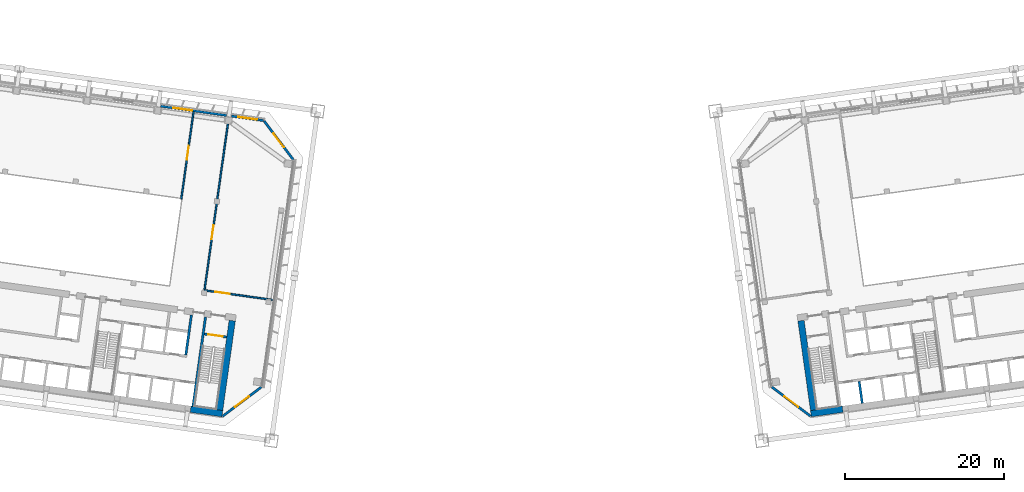
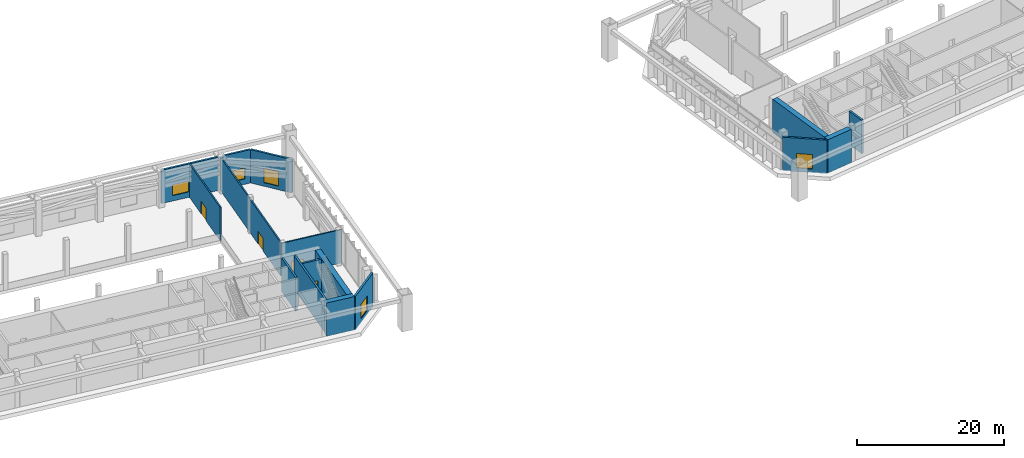
# One storey, part 22 of 41: 16 walls, 5 windows, 4 doors, 9 openings.
"""IFC4 building model written with IfcOpenShell, lengths in metres."""

import ifcopenshell
import ifcopenshell.guid

model = None  # the IFC model being written
_history = None  # IfcOwnerHistory: only IFC2X3 demands one
_inside = {}  # id of a spatial element -> (the spatial element, [elements in it])
_under = {}  # id of a project, library or spatial element -> (it, [spatial elements below it])
_declared = {}  # id of a project -> (the project, [libraries it declares])
_typed = {}  # id of a type object -> (the type object, [elements of that type])
_made_of = {}  # id of a material, layer set ... -> (it, [elements and type objects made of it])


def new_model(schema):
    """Start an empty IFC model of exactly this schema.

    Asked for "IFC4X3", IfcOpenShell would pick the latest addendum, in which some entities
    have other attributes; the version numbers below select the first issue.
    IFC2X3 requires an IfcOwnerHistory on every rooted entity: one is made here for all.
    """
    global model, _history
    if schema == "IFC4X3":
        model = ifcopenshell.file(schema_version=(4, 3, 0, 0))
    else:
        model = ifcopenshell.file(schema=schema)
    _inside.clear()
    _under.clear()
    _declared.clear()
    _typed.clear()
    _made_of.clear()
    _history = None
    if model.schema == "IFC2X3":
        org = make("IfcOrganization", Name="unknown")
        user = make(
            "IfcPersonAndOrganization",
            ThePerson=make("IfcPerson", FamilyName="unknown"),
            TheOrganization=org,
        )
        app = make(
            "IfcApplication",
            ApplicationDeveloper=org,
            Version="unknown",
            ApplicationFullName="unknown",
            ApplicationIdentifier="unknown",
        )
        _history = make(
            "IfcOwnerHistory",
            OwningUser=user,
            OwningApplication=app,
            ChangeAction="ADDED",
            CreationDate=0,
        )
    return model


def make(cls, **values):
    """One entity of the class cls with the attributes given. An attribute that is None is left unset."""
    return model.create_entity(
        cls, **{name: value for name, value in values.items() if value is not None}
    )


def rooted(cls, **values):
    """An entity with a GlobalId (a new one), such as an element, a storey or a relation."""
    return make(cls, GlobalId=ifcopenshell.guid.new(), OwnerHistory=_history, **values)


def si_unit(unit_type, name, prefix=None):
    """IfcSIUnit, for example si_unit("LENGTHUNIT", "METRE", prefix="MILLI")."""
    return make("IfcSIUnit", UnitType=unit_type, Prefix=prefix, Name=name)


def assignment(units):
    """IfcUnitAssignment: the units of a project."""
    return None if units is None else make("IfcUnitAssignment", Units=units)


def point(xyz):
    """IfcCartesianPoint."""
    return None if xyz is None else make("IfcCartesianPoint", Coordinates=xyz)


def direction(xyz):
    """IfcDirection."""
    return None if xyz is None else make("IfcDirection", DirectionRatios=xyz)


def frame(location, z_axis=None, x_axis=None):
    """IfcAxis2Placement3D, a coordinate frame: its origin and axes. An axis left out is left unset."""
    return make(
        "IfcAxis2Placement3D",
        Location=point(location),
        Axis=direction(z_axis),
        RefDirection=direction(x_axis),
    )


def frame_2d(location, x_axis=None):
    """IfcAxis2Placement2D, a coordinate frame in the plane: its origin and x axis."""
    return make(
        "IfcAxis2Placement2D", Location=point(location), RefDirection=direction(x_axis)
    )


def origin():
    """The frame at (0, 0, 0) with its axes left unset."""
    return frame((0.0, 0.0, 0.0))


def place(relative_to, where):
    """IfcLocalPlacement: puts the frame where relative to a parent placement (None: the world)."""
    return make(
        "IfcLocalPlacement", PlacementRelTo=relative_to, RelativePlacement=where
    )


def context(
    kind, dimensions, precision=None, world=None, true_north=None, identifier=None
):
    """IfcGeometricRepresentationContext, for example the 3D "Model" context."""
    return make(
        "IfcGeometricRepresentationContext",
        ContextIdentifier=identifier,
        ContextType=kind,
        CoordinateSpaceDimension=dimensions,
        Precision=precision,
        WorldCoordinateSystem=world,
        TrueNorth=true_north,
    )


def subcontext(parent, identifier, kind, view, scale=None):
    """IfcGeometricRepresentationSubContext, for example "Body" below "Model"."""
    return make(
        "IfcGeometricRepresentationSubContext",
        ContextIdentifier=identifier,
        ContextType=kind,
        ParentContext=parent,
        TargetScale=scale,
        TargetView=view,
    )


def project(units=None, contexts=None):
    """IfcProject with its units and contexts."""
    return rooted(
        "IfcProject",
        Name="project",
        RepresentationContexts=contexts,
        UnitsInContext=assignment(units),
    )


def spatial(cls, under=None, at=None, **own):
    """A site, building, storey or space (cls), placed at a placement, below another one or the project."""
    s = rooted(cls, ObjectPlacement=at, **own)
    if under is not None:
        _under.setdefault(under.id(), (under, []))[1].append(s)
    return s


def profile(cls, at=None, kind="AREA", **sizes):
    """A parametric profile (cls). Its sizes go by their IFC names, for example OverallWidth=200.0."""
    return make(cls, ProfileType=kind, Position=at, **sizes)


def rectangle(**sizes):
    """IfcRectangleProfileDef."""
    return profile("IfcRectangleProfileDef", **sizes)


def extrude(swept, where, along, depth):
    """IfcExtrudedAreaSolid: the profile swept, set in the frame where, extruded along a direction by depth."""
    return make(
        "IfcExtrudedAreaSolid",
        SweptArea=swept,
        Position=where,
        ExtrudedDirection=direction(along),
        Depth=depth,
    )


def shape(context_of_items, identifier, shape_type, items):
    """IfcShapeRepresentation: the items that make up one representation, for example the "Body"."""
    return make(
        "IfcShapeRepresentation",
        ContextOfItems=context_of_items,
        RepresentationIdentifier=identifier,
        RepresentationType=shape_type,
        Items=items,
    )


def material(Name=None, Category=None):
    """IfcMaterial."""
    return make("IfcMaterial", Name=Name, Category=Category)


def layer(
    of_material, thickness, ventilated=None, Name=None, Category=None, Priority=None
):
    """IfcMaterialLayer: one layer of a wall or slab, of a material (None: an air gap)."""
    return make(
        "IfcMaterialLayer",
        Material=of_material,
        LayerThickness=thickness,
        IsVentilated=ventilated,
        Name=Name,
        Category=Category,
        Priority=Priority,
    )


def layer_set(layers, Name=None):
    """IfcMaterialLayerSet."""
    return make("IfcMaterialLayerSet", MaterialLayers=layers, LayerSetName=Name)


def made_of(thing, what):
    """Note that an element or type object is made of a material, layer set ...; save() writes the relation."""
    if what is not None:
        _made_of.setdefault(what.id(), (what, []))[1].append(thing)
    return thing


def type_object(cls, material=None, **own):
    """A type object (cls), such as IfcWallType, which elements share."""
    return made_of(rooted(cls, **own), material)


def element(
    cls,
    number,
    at=None,
    inside=None,
    cuts=None,
    type_object=None,
    material=None,
    context=None,
    identifier="Body",
    shape_type=None,
    held_by="IfcProductDefinitionShape",
    body=None,
    shapes=None,
    **own,
):
    """One element of the class cls, such as IfcWall. Its Tag is "e" and its number.

    at: its placement. inside: the storey or other place that contains it. cuts: it is an
    opening in that element (IfcRelVoidsElement). A single representation is given by context,
    identifier, shape_type and body (its items); several are given by shapes. held_by: the class
    of the entity that holds the representations. save() writes the other relations.
    """
    e = rooted(cls, Tag="e%d" % number, ObjectPlacement=at, **own)
    if body is not None:
        shapes = [shape(context, identifier, shape_type, body)]
    if shapes is not None:
        e.Representation = make(held_by, Representations=shapes)
    if inside is not None:
        _inside.setdefault(inside.id(), (inside, []))[1].append(e)
    if cuts is not None:
        rooted(
            "IfcRelVoidsElement", RelatingBuildingElement=cuts, RelatedOpeningElement=e
        )
    if type_object is not None:
        _typed.setdefault(type_object.id(), (type_object, []))[1].append(e)
    return made_of(e, material)


def fill(opening, filler):
    """IfcRelFillsElement: the door or window that sits in an opening."""
    return rooted(
        "IfcRelFillsElement",
        RelatingOpeningElement=opening,
        RelatedBuildingElement=filler,
    )


def aggregate(whole, parts):
    """IfcRelAggregates: a whole, such as a stair, and the parts it consists of."""
    return rooted("IfcRelAggregates", RelatingObject=whole, RelatedObjects=parts)


def save(model, path):
    """Write the relations noted so far, then the file.

    IfcRelAggregates (storeys below a building ...), IfcRelContainedInSpatialStructure (elements
    in a storey), IfcRelDefinesByType, IfcRelAssociatesMaterial and IfcRelDeclares: one each for
    every whole, place, type object, material and project.
    """
    for whole, parts in _under.values():
        aggregate(whole, parts)
    for where, things in _inside.values():
        rooted(
            "IfcRelContainedInSpatialStructure",
            RelatedElements=things,
            RelatingStructure=where,
        )
    for kind, things in _typed.values():
        rooted("IfcRelDefinesByType", RelatedObjects=things, RelatingType=kind)
    for what, things in _made_of.values():
        rooted("IfcRelAssociatesMaterial", RelatedObjects=things, RelatingMaterial=what)
    for by, libraries in _declared.values():
        rooted("IfcRelDeclares", RelatingContext=by, RelatedDefinitions=libraries)
    model.write(path)


model = new_model("IFC4")

# Units and contexts
model_context = context("Model", 3, precision=1e-05, world=origin(), true_north=direction((0.0, 1.0)))
body_context = subcontext(model_context, "Body", "Model", "MODEL_VIEW")
ifc_project = project(units=[si_unit("LENGTHUNIT", "METRE"), si_unit("AREAUNIT", "SQUARE_METRE"), si_unit("VOLUMEUNIT", "CUBIC_METRE"), si_unit("PLANEANGLEUNIT", "RADIAN"), si_unit("MASSUNIT", "GRAM", prefix="KILO")], contexts=[model_context])

# Site, building, storey
site_placement = place(None, origin())
site = spatial("IfcSite", under=ifc_project, at=site_placement, CompositionType="ELEMENT")
building_placement = place(site_placement, origin())
building = spatial("IfcBuilding", under=site, at=building_placement, Name="Mirante Cascada Hotel Towers", CompositionType="ELEMENT")
storey_placement = place(building_placement, frame((0.0, 0.0, 92.7)))
storey = spatial("IfcBuildingStorey", under=building, at=storey_placement, Name="L20", CompositionType="ELEMENT", Elevation=92.7)

# Wall, opening, window
ifc_material_1 = material(Name="Precast concrete C40/50", Category="concrete")
ifc_layer_1 = layer(ifc_material_1, 0.3)
ifc_layer_set_1 = layer_set([ifc_layer_1], Name="Precast concrete C40/50 cladding wall 300")
wall_type_1 = type_object("IfcWallType", Name="Precast concrete C40/50 cladding wall 300", PredefinedType="STANDARD", material=ifc_layer_set_1)
wall_1_placement = place(storey_placement, frame((-31.9558, 17.3101, 0.0), z_axis=(0.0, 0.0, 1.0), x_axis=(-0.9902659, 0.1391883, 0.0)))
wall_1 = element("IfcWall", 1, at=wall_1_placement, inside=storey, type_object=wall_type_1, Name="Cladding pier wall T1 L20 front 1", PredefinedType="STANDARD", context=body_context, shape_type="SweptSolid", body=[
    extrude(rectangle(XDim=4.0758, YDim=0.3, at=frame_2d((2.0379, 0.0))), origin(), (0.0, 0.0, 1.0), 5.55),
])
opening_1_placement = place(wall_1_placement, frame((0.8068, 0.0, 0.9)))
opening_1 = element("IfcOpeningElement", 2, at=opening_1_placement, cuts=wall_1, Name="Opening W1-20-01", PredefinedType="OPENING", context=body_context, shape_type="SweptSolid", body=[
    extrude(rectangle(XDim=2.4, YDim=1.8, at=frame_2d((1.2, 0.9))), frame((0.0, 0.15, 0.0), z_axis=(0.0, -1.0, 0.0), x_axis=(1.0, 0.0, 0.0)), (0.0, 0.0, 1.0), 0.3),
])
ifc_material_2 = material(Name="Aluminium frame with clear double glazing", Category="aluminium")
window_type_1 = type_object("IfcWindowType", Name="Punched window 2400x1800", PartitioningType="DOUBLE_PANEL_VERTICAL", PredefinedType="WINDOW", material=ifc_material_2)
window_1_placement = place(opening_1_placement, origin())
window_1 = element("IfcWindow", 3, at=window_1_placement, inside=storey, type_object=window_type_1, Name="Window W1-20-01", OverallHeight=1.8, OverallWidth=2.4, PartitioningType="SINGLE_PANEL", PredefinedType="WINDOW", context=body_context, shape_type="SweptSolid", body=[
    extrude(rectangle(XDim=2.4, YDim=1.8, at=frame_2d((1.2, 0.9))), frame((0.0, 0.03, 0.0), z_axis=(0.0, -1.0, 0.0), x_axis=(1.0, 0.0, 0.0)), (0.0, 0.0, 1.0), 0.06),
])
fill(opening_1, window_1)

wall_2_placement = place(storey_placement, frame((-36.5861, 17.9609, 0.0), z_axis=(0.0, 0.0, 1.0), x_axis=(-0.9902688, 0.1391676, 0.0)))
wall_2 = element("IfcWall", 4, at=wall_2_placement, inside=storey, type_object=wall_type_1, Name="Cladding pier wall T1 L20 front 2", PredefinedType="STANDARD", context=body_context, shape_type="SweptSolid", body=[
    extrude(rectangle(XDim=8.3999, YDim=0.3, at=frame_2d((4.2, 0.0))), origin(), (0.0, 0.0, 1.0), 5.55),
])
opening_2_placement = place(wall_2_placement, frame((4.4, 0.0, 0.9)))
opening_2 = element("IfcOpeningElement", 5, at=opening_2_placement, cuts=wall_2, Name="Opening W1-20-02", PredefinedType="OPENING", context=body_context, shape_type="SweptSolid", body=[
    extrude(rectangle(XDim=2.4, YDim=1.8, at=frame_2d((1.2, 0.9))), frame((0.0, 0.15, 0.0), z_axis=(0.0, -1.0, 0.0), x_axis=(1.0, 0.0, 0.0)), (0.0, 0.0, 1.0), 0.3),
])
window_2_placement = place(opening_2_placement, origin())
window_2 = element("IfcWindow", 6, at=window_2_placement, inside=storey, type_object=window_type_1, Name="Window W1-20-02", OverallHeight=1.8, OverallWidth=2.4, PartitioningType="SINGLE_PANEL", PredefinedType="WINDOW", context=body_context, shape_type="SweptSolid", body=[
    extrude(rectangle(XDim=2.4, YDim=1.8, at=frame_2d((1.2, 0.9))), frame((0.0, 0.03, 0.0), z_axis=(0.0, -1.0, 0.0), x_axis=(1.0, 0.0, 0.0)), (0.0, 0.0, 1.0), 0.06),
])
fill(opening_2, window_2)

wall_3_placement = place(storey_placement, frame((-31.8569, 17.2519, 0.0), z_axis=(0.0, 0.0, 1.0), x_axis=(0.6018115, -0.7986381, 0.0)))
wall_3 = element("IfcWall", 7, at=wall_3_placement, inside=storey, type_object=wall_type_1, Name="Corner cladding wall T1 L20 front inner", PredefinedType="STANDARD", context=body_context, shape_type="SweptSolid", body=[
    extrude(rectangle(XDim=6.1155, YDim=0.3, at=frame_2d((3.0578, 0.0))), origin(), (0.0, 0.0, 1.0), 5.55),
])
opening_3_placement = place(wall_3_placement, frame((1.9577, 0.0, 0.6)))
opening_3 = element("IfcOpeningElement", 8, at=opening_3_placement, cuts=wall_3, Name="Opening W1-20-10", PredefinedType="OPENING", context=body_context, shape_type="SweptSolid", body=[
    extrude(rectangle(XDim=2.2, YDim=2.4, at=frame_2d((1.1, 1.2))), frame((0.0, 0.15, 0.0), z_axis=(0.0, -1.0, 0.0), x_axis=(1.0, 0.0, 0.0)), (0.0, 0.0, 1.0), 0.3),
])
ifc_material_3 = material(Name="Aluminium frame with clear double glazing", Category="aluminium")
window_type_2 = type_object("IfcWindowType", Name="Corner suite window 2200x2400", PartitioningType="DOUBLE_PANEL_VERTICAL", PredefinedType="WINDOW", material=ifc_material_3)
window_3_placement = place(opening_3_placement, origin())
window_3 = element("IfcWindow", 9, at=window_3_placement, inside=storey, type_object=window_type_2, Name="Window W1-20-10", OverallHeight=2.4, OverallWidth=2.2, PartitioningType="SINGLE_PANEL", PredefinedType="WINDOW", context=body_context, shape_type="SweptSolid", body=[
    extrude(rectangle(XDim=2.2, YDim=2.4, at=frame_2d((1.1, 1.2))), frame((0.0, 0.03, 0.0), z_axis=(0.0, -1.0, 0.0), x_axis=(1.0, 0.0, 0.0)), (0.0, 0.0, 1.0), 0.06),
])
fill(opening_3, window_3)

wall_4_placement = place(storey_placement, frame((-32.2074, -16.3138, 0.0), z_axis=(0.0, 0.0, 1.0), x_axis=(-0.7986362, -0.6018141, 0.0)))
wall_4 = element("IfcWall", 10, at=wall_4_placement, inside=storey, type_object=wall_type_1, Name="Corner cladding wall T1 L20 inner rear", PredefinedType="STANDARD", context=body_context, shape_type="SweptSolid", body=[
    extrude(rectangle(XDim=6.1157, YDim=0.3, at=frame_2d((3.0578, 0.0))), origin(), (0.0, 0.0, 1.0), 5.55),
])
opening_4_placement = place(wall_4_placement, frame((1.9578, 0.0, 0.6)))
opening_4 = element("IfcOpeningElement", 11, at=opening_4_placement, cuts=wall_4, Name="Opening W1-20-11", PredefinedType="OPENING", context=body_context, shape_type="SweptSolid", body=[
    extrude(rectangle(XDim=2.2, YDim=2.4, at=frame_2d((1.1, 1.2))), frame((0.0, 0.15, 0.0), z_axis=(0.0, -1.0, 0.0), x_axis=(1.0, 0.0, 0.0)), (0.0, 0.0, 1.0), 0.3),
])
window_4_placement = place(opening_4_placement, origin())
window_4 = element("IfcWindow", 12, at=window_4_placement, inside=storey, type_object=window_type_2, Name="Window W1-20-11", OverallHeight=2.4, OverallWidth=2.2, PartitioningType="SINGLE_PANEL", PredefinedType="WINDOW", context=body_context, shape_type="SweptSolid", body=[
    extrude(rectangle(XDim=2.2, YDim=2.4, at=frame_2d((1.1, 1.2))), frame((0.0, 0.03, 0.0), z_axis=(0.0, -1.0, 0.0), x_axis=(1.0, 0.0, 0.0)), (0.0, 0.0, 1.0), 0.06),
])
fill(opening_4, window_4)

wall_5_placement = place(storey_placement, frame((32.2074, -16.3138, 0.0), z_axis=(0.0, 0.0, 1.0), x_axis=(0.7986362, -0.6018141, 0.0)))
wall_5 = element("IfcWall", 13, at=wall_5_placement, inside=storey, type_object=wall_type_1, Name="Corner cladding wall T2 L20 inner rear", PredefinedType="STANDARD", context=body_context, shape_type="SweptSolid", body=[
    extrude(rectangle(XDim=6.1157, YDim=0.3, at=frame_2d((3.0578, 0.0))), origin(), (0.0, 0.0, 1.0), 5.55),
])
opening_5_placement = place(wall_5_placement, frame((1.9578, 0.0, 0.6)))
opening_5 = element("IfcOpeningElement", 14, at=opening_5_placement, cuts=wall_5, Name="Opening W2-20-11", PredefinedType="OPENING", context=body_context, shape_type="SweptSolid", body=[
    extrude(rectangle(XDim=2.2, YDim=2.4, at=frame_2d((1.1, 1.2))), frame((0.0, 0.15, 0.0), z_axis=(0.0, -1.0, 0.0), x_axis=(1.0, 0.0, 0.0)), (0.0, 0.0, 1.0), 0.3),
])
window_5_placement = place(opening_5_placement, origin())
window_5 = element("IfcWindow", 15, at=window_5_placement, inside=storey, type_object=window_type_2, Name="Window W2-20-11", OverallHeight=2.4, OverallWidth=2.2, PartitioningType="SINGLE_PANEL", PredefinedType="WINDOW", context=body_context, shape_type="SweptSolid", body=[
    extrude(rectangle(XDim=2.2, YDim=2.4, at=frame_2d((1.1, 1.2))), frame((0.0, 0.03, 0.0), z_axis=(0.0, -1.0, 0.0), x_axis=(1.0, 0.0, 0.0)), (0.0, 0.0, 1.0), 0.06),
])
fill(opening_5, window_5)

# Wall
ifc_material_4 = material(Name="Concrete C50/60", Category="concrete")
ifc_layer_2 = layer(ifc_material_4, 0.3)
ifc_layer_set_2 = layer_set([ifc_layer_2], Name="RC core wall 300 C50/60")
wall_type_2 = type_object("IfcWallType", Name="RC core wall 300 C50/60", PredefinedType="SHEAR", material=ifc_layer_set_2)
wall_6_placement = place(storey_placement, frame((-40.8373, -18.7548, 0.0), z_axis=(0.0, 0.0, 1.0), x_axis=(0.1391749, 0.9902678, 0.0)))
element("IfcWall", 16, at=wall_6_placement, inside=storey, type_object=wall_type_2, Name="Core wall T1:L20:5", PredefinedType="SHEAR", context=body_context, shape_type="SweptSolid", body=[
    extrude(rectangle(XDim=11.4, YDim=0.3, at=frame_2d((5.7, 0.0))), origin(), (0.0, 0.0, 1.0), 5.55),
])

# Wall, opening, door
wall_7_placement = place(storey_placement, frame((-36.5791, -10.0123, 0.0), z_axis=(0.0, 0.0, 1.0), x_axis=(-0.9902704, 0.1391564, 0.0)))
wall_7 = element("IfcWall", 17, at=wall_7_placement, inside=storey, type_object=wall_type_2, Name="Core wall T1:L20:9", PredefinedType="SHEAR", context=body_context, shape_type="SweptSolid", body=[
    extrude(rectangle(XDim=2.85, YDim=0.3, at=frame_2d((1.425, 0.0))), origin(), (0.0, 0.0, 1.0), 5.55),
])
opening_6_placement = place(wall_7_placement, frame((0.525, 0.0, 0.0)))
opening_6 = element("IfcOpeningElement", 18, at=opening_6_placement, cuts=wall_7, Name="Opening D1-20-C13", PredefinedType="OPENING", context=body_context, shape_type="SweptSolid", body=[
    extrude(rectangle(XDim=1.8, YDim=2.1, at=frame_2d((0.9, 1.05))), frame((0.0, 0.15, 0.0), z_axis=(0.0, -1.0, 0.0), x_axis=(1.0, 0.0, 0.0)), (0.0, 0.0, 1.0), 0.3),
])
ifc_material_5 = material(Name="Hollow metal fire door leaf")
door_type_1 = type_object("IfcDoorType", Name="Double fire door 1800x2100 FD60", OperationType="DOUBLE_DOOR_SINGLE_SWING", PredefinedType="DOOR", material=ifc_material_5)
door_1_placement = place(opening_6_placement, origin())
door_1 = element("IfcDoor", 19, at=door_1_placement, inside=storey, type_object=door_type_1, Name="Stair door T1 L20 13", OperationType="DOUBLE_DOOR_SINGLE_SWING", OverallHeight=2.1, OverallWidth=1.8, PredefinedType="DOOR", context=body_context, shape_type="SweptSolid", body=[
    extrude(rectangle(XDim=0.895, YDim=2.1, at=frame_2d((0.4475, 1.05))), frame((0.0, 0.025, 0.0), z_axis=(0.0, -1.0, 0.0), x_axis=(1.0, 0.0, 0.0)), (0.0, 0.0, 1.0), 0.05),
    extrude(rectangle(XDim=0.895, YDim=2.1, at=frame_2d((1.3525, 1.05))), frame((0.0, 0.025, 0.0), z_axis=(0.0, -1.0, 0.0), x_axis=(1.0, 0.0, 0.0)), (0.0, 0.0, 1.0), 0.05),
])
fill(opening_6, door_1)

# Walls
wall_8_placement = place(storey_placement, frame((-41.743, -12.2656, 0.0), z_axis=(0.0, 0.0, 1.0), x_axis=(0.1391755, 0.9902677, 0.0)))
element("IfcWall", 20, at=wall_8_placement, inside=storey, type_object=wall_type_2, Name="Core wall T1:L20:20", PredefinedType="SHEAR", context=body_context, shape_type="SweptSolid", body=[
    extrude(rectangle(XDim=5.1, YDim=0.3, at=frame_2d((2.55, 0.0))), origin(), (0.0, 0.0, 1.0), 5.55),
])
wall_9_placement = place(storey_placement, frame((43.61, -18.3651, 0.0), z_axis=(0.0, 0.0, 1.0), x_axis=(-0.1391459, 0.9902719, 0.0)))
element("IfcWall", 21, at=wall_9_placement, inside=storey, type_object=wall_type_2, Name="Core wall T2:L20:15", PredefinedType="SHEAR", context=body_context, shape_type="SweptSolid", body=[
    extrude(rectangle(XDim=2.7999, YDim=0.3, at=frame_2d((1.4, 0.0))), origin(), (0.0, 0.0, 1.0), 5.55),
])
ifc_material_6 = material(Name="Concrete C50/60", Category="concrete")
ifc_layer_3 = layer(ifc_material_6, 0.8)
ifc_layer_set_3 = layer_set([ifc_layer_3], Name="RC core wall 800 C50/60")
wall_type_3 = type_object("IfcWallType", Name="RC core wall 800 C50/60", PredefinedType="SHEAR", material=ifc_layer_set_3)
wall_10_placement = place(storey_placement, frame((-37.1299, -19.6798, 0.0), z_axis=(0.0, 0.0, 1.0), x_axis=(-0.9902665, 0.1391845, 0.0)))
element("IfcWall", 22, at=wall_10_placement, inside=storey, type_object=wall_type_3, Name="Core wall T1:L20:1.1", PredefinedType="SHEAR", context=body_context, shape_type="SweptSolid", body=[
    extrude(rectangle(XDim=4.05, YDim=0.8, at=frame_2d((2.025, 0.0))), origin(), (0.0, 0.0, 1.0), 5.55),
])
wall_11_placement = place(storey_placement, frame((-37.4704, -19.228, 0.0), z_axis=(0.0, 0.0, 1.0), x_axis=(0.1391749, 0.9902678, 0.0)))
element("IfcWall", 23, at=wall_11_placement, inside=storey, type_object=wall_type_3, Name="Core wall T1:L20:3", PredefinedType="SHEAR", context=body_context, shape_type="SweptSolid", body=[
    extrude(rectangle(XDim=11.4, YDim=0.8, at=frame_2d((5.7, 0.0))), origin(), (0.0, 0.0, 1.0), 5.55),
])
wall_12_placement = place(storey_placement, frame((37.1299, -19.6798, 0.0), z_axis=(0.0, 0.0, 1.0), x_axis=(0.9902665, 0.1391845, 0.0)))
element("IfcWall", 24, at=wall_12_placement, inside=storey, type_object=wall_type_3, Name="Core wall T2:L20:1.1", PredefinedType="SHEAR", context=body_context, shape_type="SweptSolid", body=[
    extrude(rectangle(XDim=4.05, YDim=0.8, at=frame_2d((2.025, 0.0))), origin(), (0.0, 0.0, 1.0), 5.55),
])
wall_13_placement = place(storey_placement, frame((37.4704, -19.228, 0.0), z_axis=(0.0, 0.0, 1.0), x_axis=(-0.1391749, 0.9902678, 0.0)))
element("IfcWall", 25, at=wall_13_placement, inside=storey, type_object=wall_type_3, Name="Core wall T2:L20:3", PredefinedType="SHEAR", context=body_context, shape_type="SweptSolid", body=[
    extrude(rectangle(XDim=11.4, YDim=0.8, at=frame_2d((5.7, 0.0))), origin(), (0.0, 0.0, 1.0), 5.55),
])

# Wall, opening, door
ifc_material_7 = material(Name="Masonry block", Category="masonry")
ifc_layer_4 = layer(ifc_material_7, 0.2)
ifc_layer_set_4 = layer_set([ifc_layer_4], Name="Refuge and plant wall 200 block EI 120")
wall_type_4 = type_object("IfcWallType", Name="Refuge and plant wall 200 block EI 120", PredefinedType="PARTITIONING", material=ifc_layer_set_4)
wall_14_placement = place(storey_placement, frame((-30.7208, -5.3321, 0.0), z_axis=(0.0, 0.0, 1.0), x_axis=(-0.990269, 0.1391666, 0.0)))
wall_14 = element("IfcWall", 26, at=wall_14_placement, inside=storey, type_object=wall_type_4, Name="Refuge floor wall T1 L20 S1", PredefinedType="PARTITIONING", context=body_context, shape_type="SweptSolid", body=[
    extrude(rectangle(XDim=8.7499, YDim=0.2, at=frame_2d((4.375, 0.0))), origin(), (0.0, 0.0, 1.0), 5.55),
])
opening_7_placement = place(wall_14_placement, frame((5.55, 0.0, 0.0)))
opening_7 = element("IfcOpeningElement", 27, at=opening_7_placement, cuts=wall_14, Name="Opening D1-20-S01", PredefinedType="OPENING", context=body_context, shape_type="SweptSolid", body=[
    extrude(rectangle(XDim=1.8, YDim=2.1, at=frame_2d((0.9, 1.05))), frame((0.0, 0.1, 0.0), z_axis=(0.0, -1.0, 0.0), x_axis=(1.0, 0.0, 0.0)), (0.0, 0.0, 1.0), 0.2),
])
ifc_material_8 = material(Name="Hollow metal fire door leaf")
door_type_2 = type_object("IfcDoorType", Name="Refuge and plant double door 1800x2100 FD60", OperationType="DOUBLE_DOOR_SINGLE_SWING", PredefinedType="DOOR", material=ifc_material_8)
door_2_placement = place(opening_7_placement, frame((1.8, 0.0, 0.0), z_axis=(0.0, 0.0, 1.0), x_axis=(-1.0, 0.0, 0.0)))
door_2 = element("IfcDoor", 28, at=door_2_placement, inside=storey, type_object=door_type_2, Name="Fire door T1 L20 s1", OperationType="DOUBLE_DOOR_SINGLE_SWING", OverallHeight=2.1, OverallWidth=1.8, PredefinedType="DOOR", context=body_context, shape_type="SweptSolid", body=[
    extrude(rectangle(XDim=0.895, YDim=2.1, at=frame_2d((0.4475, 1.05))), frame((0.0, 0.025, 0.0), z_axis=(0.0, -1.0, 0.0), x_axis=(1.0, 0.0, 0.0)), (0.0, 0.0, 1.0), 0.05),
    extrude(rectangle(XDim=0.895, YDim=2.1, at=frame_2d((1.3525, 1.05))), frame((0.0, 0.025, 0.0), z_axis=(0.0, -1.0, 0.0), x_axis=(1.0, 0.0, 0.0)), (0.0, 0.0, 1.0), 0.05),
])
fill(opening_7, door_2)

wall_15_placement = place(storey_placement, frame((-39.3717, -4.0153, 0.0), z_axis=(0.0, 0.0, 1.0), x_axis=(0.1391746, 0.9902679, 0.0)))
wall_15 = element("IfcWall", 29, at=wall_15_placement, inside=storey, type_object=wall_type_4, Name="Refuge floor wall T1 L20 S2", PredefinedType="PARTITIONING", context=body_context, shape_type="SweptSolid", body=[
    extrude(rectangle(XDim=22.05, YDim=0.2, at=frame_2d((11.025, 0.0))), origin(), (0.0, 0.0, 1.0), 5.55),
])
opening_8_placement = place(wall_15_placement, frame((6.4, 0.0, 0.0)))
opening_8 = element("IfcOpeningElement", 30, at=opening_8_placement, cuts=wall_15, Name="Opening D1-20-S02", PredefinedType="OPENING", context=body_context, shape_type="SweptSolid", body=[
    extrude(rectangle(XDim=1.8, YDim=2.1, at=frame_2d((0.9, 1.05))), frame((0.0, 0.1, 0.0), z_axis=(0.0, -1.0, 0.0), x_axis=(1.0, 0.0, 0.0)), (0.0, 0.0, 1.0), 0.2),
])
door_3_placement = place(opening_8_placement, frame((1.8, 0.0, 0.0), z_axis=(0.0, 0.0, 1.0), x_axis=(-1.0, 0.0, 0.0)))
door_3 = element("IfcDoor", 31, at=door_3_placement, inside=storey, type_object=door_type_2, Name="Fire door T1 L20 s2", OperationType="DOUBLE_DOOR_SINGLE_SWING", OverallHeight=2.1, OverallWidth=1.8, PredefinedType="DOOR", context=body_context, shape_type="SweptSolid", body=[
    extrude(rectangle(XDim=0.895, YDim=2.1, at=frame_2d((0.4475, 1.05))), frame((0.0, 0.025, 0.0), z_axis=(0.0, -1.0, 0.0), x_axis=(1.0, 0.0, 0.0)), (0.0, 0.0, 1.0), 0.05),
    extrude(rectangle(XDim=0.895, YDim=2.1, at=frame_2d((1.3525, 1.05))), frame((0.0, 0.025, 0.0), z_axis=(0.0, -1.0, 0.0), x_axis=(1.0, 0.0, 0.0)), (0.0, 0.0, 1.0), 0.05),
])
fill(opening_8, door_3)

wall_16_placement = place(storey_placement, frame((-42.3109, 7.4049, 0.0), z_axis=(0.0, 0.0, 1.0), x_axis=(0.1391747, 0.9902678, 0.0)))
wall_16 = element("IfcWall", 32, at=wall_16_placement, inside=storey, type_object=wall_type_4, Name="Refuge floor wall T1 L20 S3", PredefinedType="PARTITIONING", context=body_context, shape_type="SweptSolid", body=[
    extrude(rectangle(XDim=11.15, YDim=0.2, at=frame_2d((5.575, 0.0))), origin(), (0.0, 0.0, 1.0), 5.55),
])
opening_9_placement = place(wall_16_placement, frame((5.0, 0.0, 0.0)))
opening_9 = element("IfcOpeningElement", 33, at=opening_9_placement, cuts=wall_16, Name="Opening D1-20-S03", PredefinedType="OPENING", context=body_context, shape_type="SweptSolid", body=[
    extrude(rectangle(XDim=1.8, YDim=2.1, at=frame_2d((0.9, 1.05))), frame((0.0, 0.1, 0.0), z_axis=(0.0, -1.0, 0.0), x_axis=(1.0, 0.0, 0.0)), (0.0, 0.0, 1.0), 0.2),
])
door_4_placement = place(opening_9_placement, origin())
door_4 = element("IfcDoor", 34, at=door_4_placement, inside=storey, type_object=door_type_2, Name="Fire door T1 L20 s3", OperationType="DOUBLE_DOOR_SINGLE_SWING", OverallHeight=2.1, OverallWidth=1.8, PredefinedType="DOOR", context=body_context, shape_type="SweptSolid", body=[
    extrude(rectangle(XDim=0.895, YDim=2.1, at=frame_2d((0.4475, 1.05))), frame((0.0, 0.025, 0.0), z_axis=(0.0, -1.0, 0.0), x_axis=(1.0, 0.0, 0.0)), (0.0, 0.0, 1.0), 0.05),
    extrude(rectangle(XDim=0.895, YDim=2.1, at=frame_2d((1.3525, 1.05))), frame((0.0, 0.025, 0.0), z_axis=(0.0, -1.0, 0.0), x_axis=(1.0, 0.0, 0.0)), (0.0, 0.0, 1.0), 0.05),
])
fill(opening_9, door_4)

save(model, "model.ifc")
